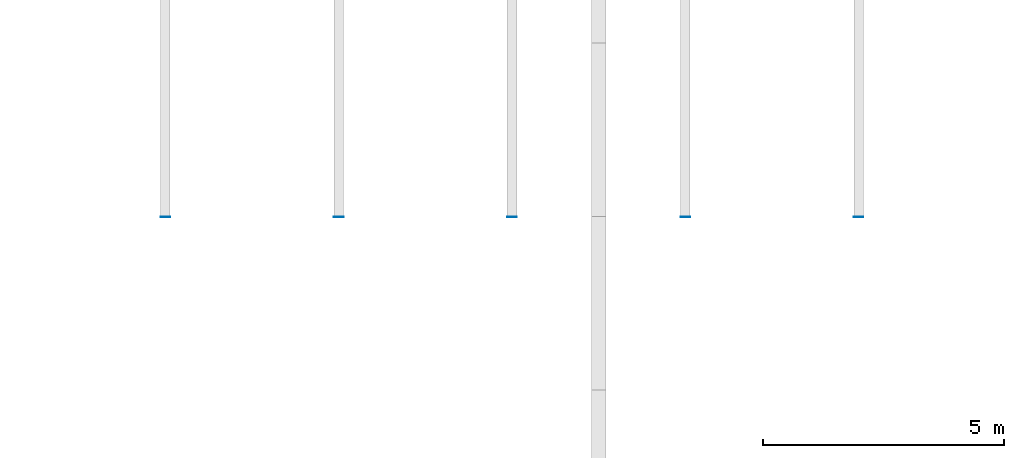
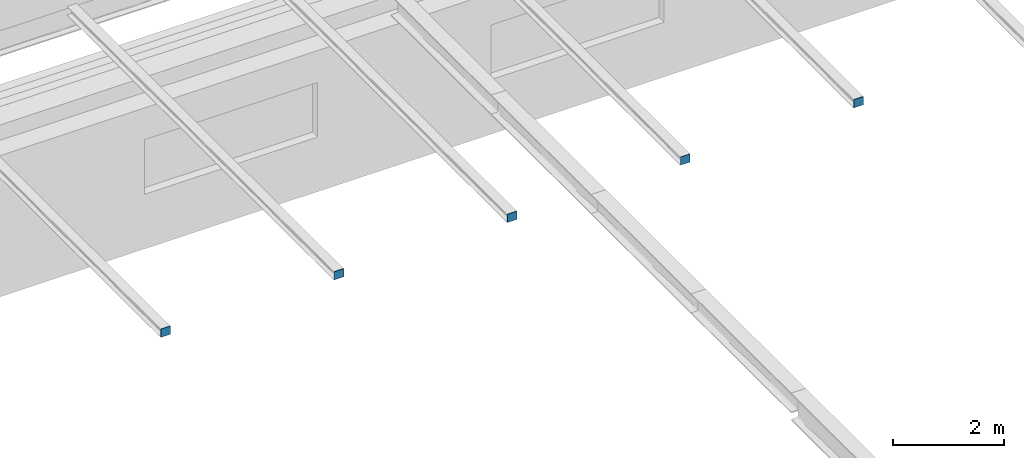
# One storey, part 67 of 110: 5 discrete accessories.
"""IFC4 building model written with IfcOpenShell, lengths in metres."""

from ifc_helpers import new_model, si_unit, direction, frame, origin, origin_2d, place, context, subcontext, project, spatial, rectangle, extrude, material, layer, layer_set, type_object, element, save


model = new_model("IFC4")

# Units and contexts
model_context = context("Model", 3, precision=1e-05, world=origin(), true_north=direction((0.0, 1.0)))
body_context = subcontext(model_context, "Body", "Model", "MODEL_VIEW")
ifc_project = project(units=[si_unit("LENGTHUNIT", "METRE"), si_unit("AREAUNIT", "SQUARE_METRE"), si_unit("VOLUMEUNIT", "CUBIC_METRE"), si_unit("PLANEANGLEUNIT", "RADIAN"), si_unit("MASSUNIT", "GRAM", prefix="KILO")], contexts=[model_context])

# Site, building, storey
site_placement = place(None, origin())
site = spatial("IfcSite", under=ifc_project, at=site_placement, CompositionType="ELEMENT")
building_placement = place(site_placement, origin())
building = spatial("IfcBuilding", under=site, at=building_placement, Name="Kupolbacken Congress Centre", CompositionType="ELEMENT")
storey_placement = place(building_placement, frame((0.0, 0.0, 18.0)))
storey = spatial("IfcBuildingStorey", under=building, at=storey_placement, Name="L05", CompositionType="ELEMENT", Elevation=18.0)

# Discrete accessories
ifc_material = material(Name="Steel S355", Category="steel")
ifc_layer = layer(ifc_material, 0.011962890625)
ifc_layer_set = layer_set([ifc_layer], Name="Steel S355")
discrete_accessory_type = type_object("IfcDiscreteAccessoryType", Name="BK3 bracket end plate 200 x 180 x 12", PredefinedType="BRACKET", material=ifc_layer_set)
for number, where, z_axis, x_axis, name in (
    (1, (171.0, 107.993896484375, 3.60009765625), (0.0, 0.0, 1.0), (1.0, 0.0, 0.0), "Eave bracket end plate N24"),
    (2, (174.60009765625, 107.993896484375, 3.60009765625), (0.0, 0.0, 1.0), (1.0, 0.0, 0.0), "Eave bracket end plate N25"),
    (3, (178.199951171875, 107.993896484375, 3.60009765625), (0.0, 0.0, 1.0), (1.0, 0.0, 0.0), "Eave bracket end plate N26"),
    (4, (181.800048828125, 107.993896484375, 3.60009765625), (0.0, 0.0, 1.0), (1.0, 0.0, 0.0), "Eave bracket end plate N27"),
    (5, (185.39990234375, 107.993896484375, 3.60009765625), (0.0, 0.0, 1.0), (1.0, 0.0, 0.0), "Eave bracket end plate N28"),
):
    element("IfcDiscreteAccessory", number, at=place(storey_placement, frame(where, z_axis=z_axis, x_axis=x_axis)), inside=storey, type_object=discrete_accessory_type, Name=name, PredefinedType="BRACKET", context=body_context, shape_type="SweptSolid", body=[
        extrude(rectangle(XDim=0.199951171875, YDim=0.011962890625, at=origin_2d()), origin(), (0.0, 0.0, 1.0), 0.179931640625),
    ])

save(model, "model.ifc")
